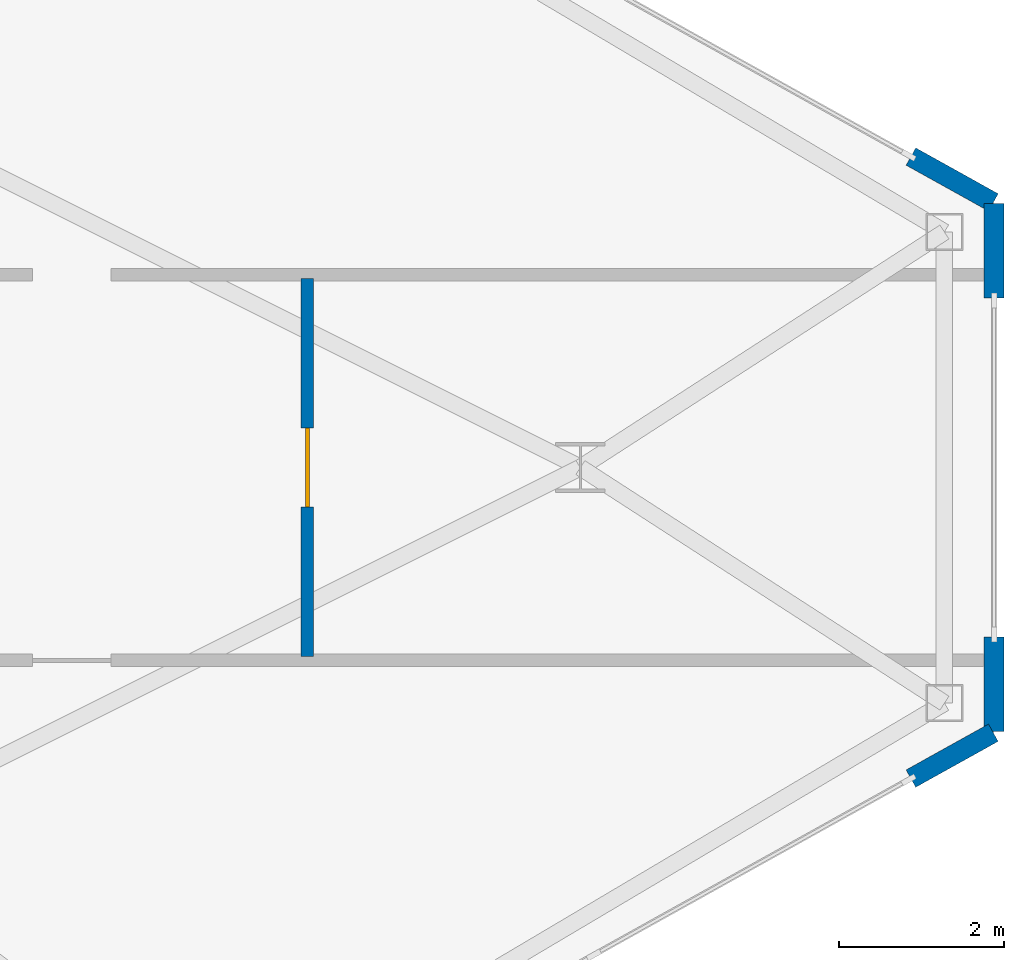
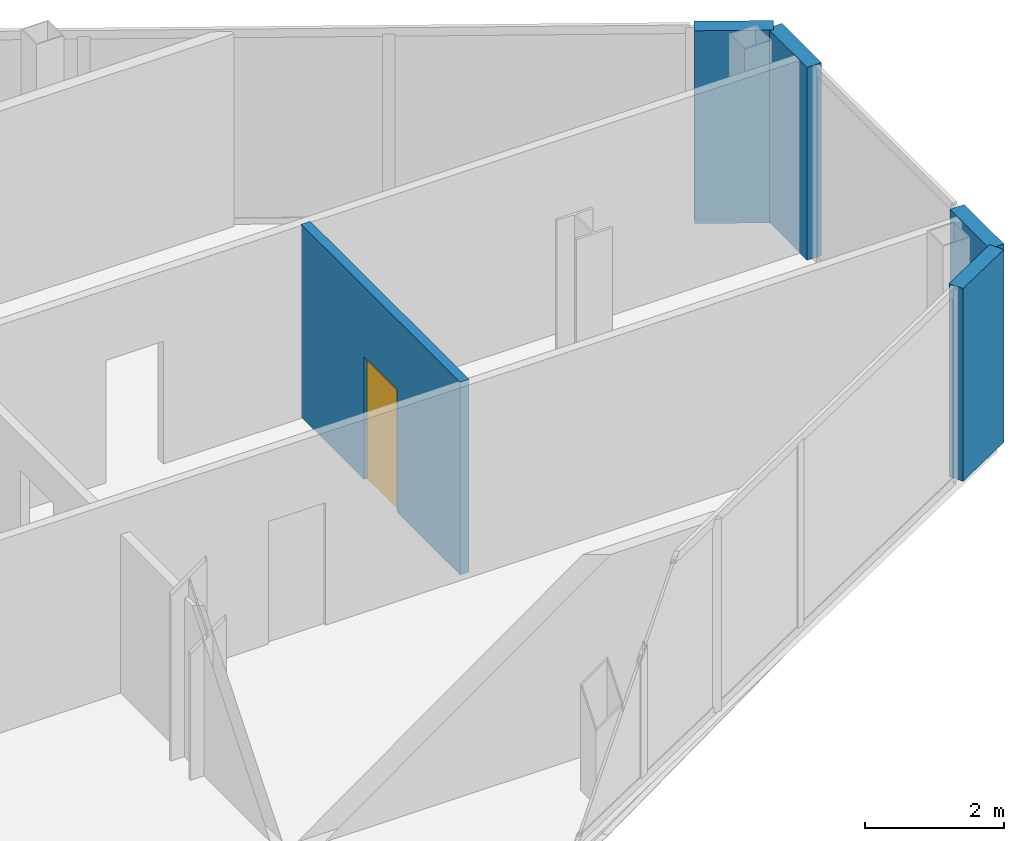
# One storey, part 23 of 26: 5 walls, 1 door, 1 opening.
"""IFC4 building model written with IfcOpenShell, lengths in metres."""

from ifc_helpers import new_model, si_unit, direction, frame, frame_2d, origin, place, context, subcontext, project, spatial, rectangle, extrude, source, transform, mapped, material, layer, layer_set, type_object, type_shapes, element, fill, save


model = new_model("IFC4")

# Units and contexts
model_context = context("Model", 3, precision=1e-05, world=origin(), true_north=direction((0.0, 1.0)))
body_context = subcontext(model_context, "Body", "Model", "MODEL_VIEW")
ifc_project = project(units=[si_unit("LENGTHUNIT", "METRE"), si_unit("AREAUNIT", "SQUARE_METRE"), si_unit("VOLUMEUNIT", "CUBIC_METRE"), si_unit("PLANEANGLEUNIT", "RADIAN"), si_unit("MASSUNIT", "GRAM", prefix="KILO")], contexts=[model_context])

# Site, building, storey
site_placement = place(None, origin())
site = spatial("IfcSite", under=ifc_project, at=site_placement, CompositionType="ELEMENT")
building_placement = place(site_placement, origin())
building = spatial("IfcBuilding", under=site, at=building_placement, Name="Seokmaru Belvedere", CompositionType="ELEMENT")
storey_placement = place(building_placement, frame((0.0, 0.0, 170.699951171875)))
storey = spatial("IfcBuildingStorey", under=building, at=storey_placement, Name="L45", CompositionType="ELEMENT", Elevation=170.699951171875)

# Wall, opening, door
ifc_material_1 = material(Name="Fire-Rated Gypsum Shaftwall")
ifc_layer_1 = layer(ifc_material_1, 0.14990234375)
ifc_layer_set_1 = layer_set([ifc_layer_1], Name="Fire-Rated Gypsum Shaftwall")
wall_type_1 = type_object("IfcWallType", Name="Apartment Fire-Acoustic Room Partition 150", PredefinedType="PARTITIONING", material=ifc_layer_set_1)
wall_placement = place(storey_placement, frame((60.199951171875, -2.282958984375, 0.0), z_axis=(0.0, 0.0, 1.0), x_axis=(0.0, 1.0, 0.0)))
wall = element("IfcWall", 1, at=wall_placement, inside=storey, type_object=wall_type_1, Name="L45 Interior Partition 032", PredefinedType="PARTITIONING", context=body_context, shape_type="SweptSolid", body=[
    extrude(rectangle(XDim=4.56591796875, YDim=0.14990234375, at=frame_2d((2.282958984375, 0.0))), origin(), (0.0, 0.0, 1.0), 3.380126953125),
])
opening_placement = place(wall_placement, frame((1.80810546875, 0.0, 0.0)))
opening = element("IfcOpeningElement", 2, at=opening_placement, cuts=wall, Name="Opening D05", PredefinedType="OPENING", context=body_context, shape_type="SweptSolid", body=[
    extrude(rectangle(XDim=0.949951171875, YDim=2.14990234375, at=frame_2d((0.47509765625, 1.074951171875))), frame((0.0, 0.0849609375, 0.0), z_axis=(0.0, -1.0, 0.0), x_axis=(1.0, 0.0, 0.0)), (0.0, 0.0, 1.0), 0.169921875),
])
ifc_material_2 = material(Name="Engineered White Oak Timber", Category="wood")
door_type = type_object("IfcDoorType", Name="Apartment Interior Fire-Rated Oak Door 950x2150", OperationType="NOTDEFINED", PredefinedType="DOOR", material=ifc_material_2)
shared_shape = source(origin(), body_context, "Body", "SweptSolid", [
    extrude(rectangle(XDim=0.949951171875, YDim=2.14990234375, at=frame_2d((0.47509765625, 1.074951171875))), frame((0.0, 0.02490234375, 0.0), z_axis=(0.0, -1.0, 0.0), x_axis=(1.0, 0.0, 0.0)), (0.0, 0.0, 1.0), 0.050048828125),
])
type_shapes(door_type, [shared_shape])
door_placement = place(opening_placement, origin())
door = element("IfcDoor", 3, at=door_placement, inside=storey, type_object=door_type, Name="L45 Interior Door 030", OperationType="SINGLE_SWING_LEFT", OverallHeight=2.14990234375, OverallWidth=0.949951171875, PredefinedType="DOOR", context=body_context, shape_type="MappedRepresentation", body=[
    mapped(shared_shape, transform((0.0, 0.0, 0.0), scale=1.0)),
])
fill(opening, door)

# Walls
ifc_material_3 = material(Name="Anodised Bronze Aluminium", Category="aluminium")
ifc_layer_2 = layer(ifc_material_3, 0.239990234375)
ifc_layer_set_2 = layer_set([ifc_layer_2], Name="Anodised Bronze Aluminium")
wall_type_2 = type_object("IfcWallType", Name="Tower Corner Spandrel Closure Wall 240", PredefinedType="SOLIDWALL", material=ifc_layer_set_2)
for number, where, z_axis, x_axis, name in (
    (4, (67.4951171875, -3.759033203125, 0.0), (0.0, 0.0, 1.0), (0.87385402111, 0.486188389196, 0.0), "L45 E Corner Closure Pier 1B"),
    (5, (68.5, -3.18994140625, 0.0), (0.0, 0.0, 1.0), (0.0, 1.0, 0.0), "L45 E Corner Closure Pier 2A"),
    (6, (68.5, 2.050048828125, 0.0), (0.0, 0.0, 1.0), (0.0, 1.0, 0.0), "L45 E Corner Closure Pier 2B"),
    (7, (68.4912109375, 3.204833984375, 0.0), (0.0, 0.0, 1.0), (-0.87385402111, 0.486188389196, 0.0), "L45 E Corner Closure Pier 3A"),
):
    element("IfcWall", number, at=place(storey_placement, frame(where, z_axis=z_axis, x_axis=x_axis)), inside=storey, type_object=wall_type_2, Name=name, PredefinedType="SOLIDWALL", context=body_context, shape_type="SweptSolid", body=[
        extrude(rectangle(XDim=1.139892578125, YDim=0.239990234375, at=frame_2d((0.56982421875, 0.0))), origin(), (0.0, 0.0, 1.0), 3.380126953125),
    ])

save(model, "model.ifc")
